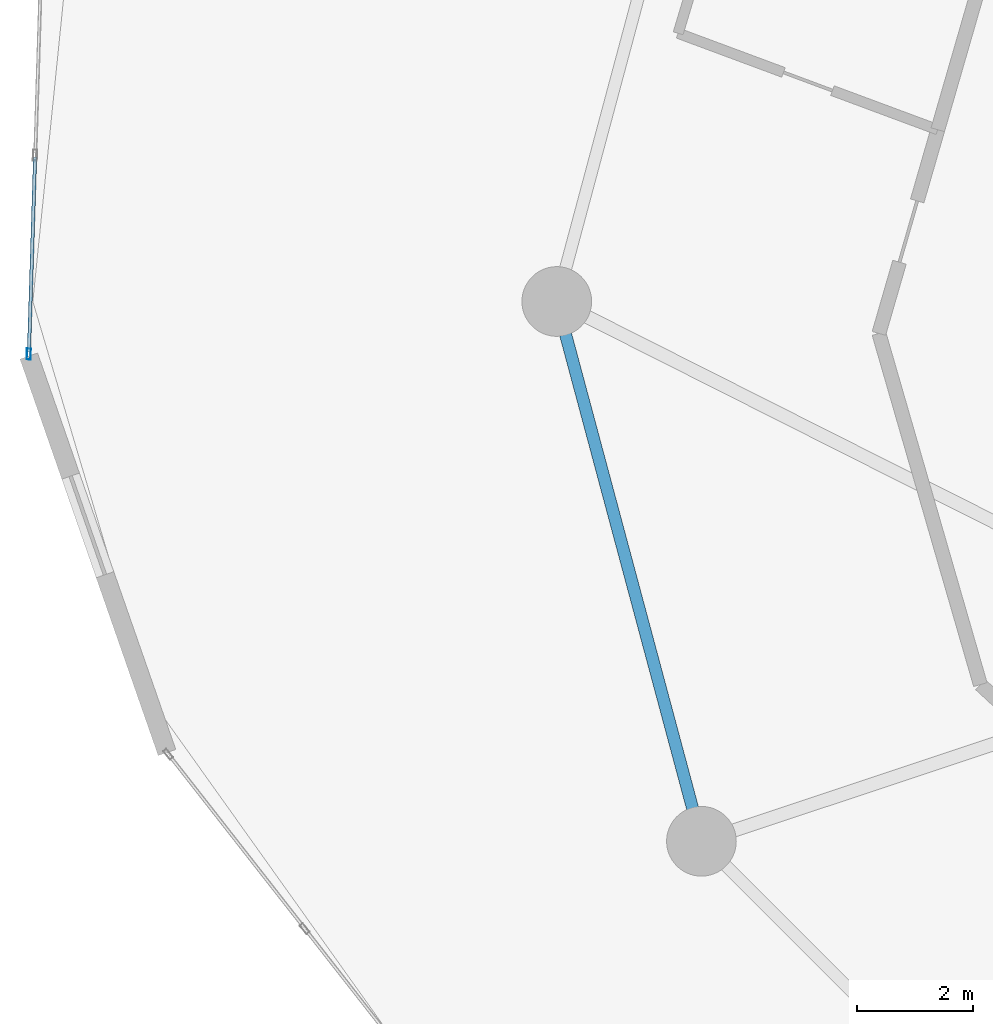
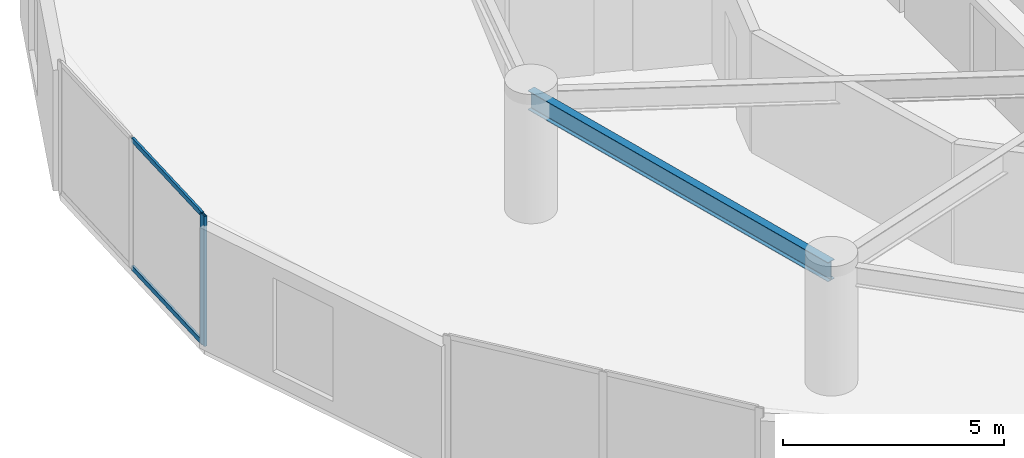
# One storey, part 6 of 22: 3 members, 1 beam, 1 element without a shape of its own.
"""IFC4 building model written with IfcOpenShell, lengths in metres."""

from ifc_helpers import new_model, si_unit, direction, frame, origin, origin_2d, place, context, subcontext, project, spatial, hollow_rectangle, i_section, extrude, source, transform, mapped, material, layer, layer_set, material_profile, profile_set, type_object, element, aggregate, save


model = new_model("IFC4")

# Units and contexts
model_context = context("Model", 3, precision=1e-05, world=origin(), true_north=direction((0.0, 1.0)))
body_context = subcontext(model_context, "Body", "Model", "MODEL_VIEW")
ifc_project = project(units=[si_unit("LENGTHUNIT", "METRE"), si_unit("AREAUNIT", "SQUARE_METRE"), si_unit("VOLUMEUNIT", "CUBIC_METRE"), si_unit("PLANEANGLEUNIT", "RADIAN"), si_unit("MASSUNIT", "GRAM", prefix="KILO")], contexts=[model_context])

# Site, building, storey
site_placement = place(None, origin())
site = spatial("IfcSite", under=ifc_project, at=site_placement, CompositionType="ELEMENT")
building_placement = place(site_placement, origin())
building = spatial("IfcBuilding", under=site, at=building_placement, Name="Solvirekh Grand Hotel", CompositionType="ELEMENT")
storey_placement = place(building_placement, frame((0.0, 0.0, 53.60009765625)))
storey = spatial("IfcBuildingStorey", under=building, at=storey_placement, Name="L12", CompositionType="ELEMENT", Elevation=53.60009765625)

# Beam
ifc_material_1 = material(Name="Steel S355", Category="steel")
ifc_material_profile_1 = material_profile(ifc_material_1, i_section(OverallWidth=0.208984375, OverallDepth=0.532958984375, WebThickness=0.010009765625, FlangeThickness=0.014892578125, FilletRadius=0.013916015625, at=origin_2d()), Name="W530X92")
ifc_profile_set_1 = profile_set([ifc_material_profile_1], Name="Steel S355")
beam_type = type_object("IfcBeamType", Name="Spandrel_Ring_W530", PredefinedType="SPANDREL", material=ifc_profile_set_1)
beam_placement = place(storey_placement, frame((-18.60009765625, 0.0, 3.072998046875), z_axis=(0.258842973314, -0.965919414426, 0.0), x_axis=(0.965919414426, 0.258842973314, 0.0)))
element("IfcBeam", 1, at=beam_placement, inside=storey, type_object=beam_type, Name="L12 perimeter spandrel beam 7", PredefinedType="SPANDREL", context=body_context, shape_type="SweptSolid", body=[
    extrude(i_section(OverallWidth=0.208984375, OverallDepth=0.532958984375, WebThickness=0.010009765625, FlangeThickness=0.014892578125, FilletRadius=0.013916015625, at=origin_2d()), origin(), (0.0, 0.0, 1.0), 9.628173828125),
])

# Curtain wall, members
ifc_material_2 = material(Name="Anodized Bronze Aluminium 6063-T6", Category="aluminium")
ifc_layer = layer(ifc_material_2, 0.18994140625)
ifc_layer_set = layer_set([ifc_layer], Name="Anodized Bronze Aluminium 6063-T6")
curtain_wall_type = type_object("IfcCurtainWallType", Name="CW_Sys2_LowZoneFlushBronzeCW", PredefinedType="NOTDEFINED", material=ifc_layer_set)
curtain_wall_placement = place(storey_placement, origin())
curtain_wall = element("IfcCurtainWall", 2, at=curtain_wall_placement, inside=storey, type_object=curtain_wall_type, Name="L12 unitised bronze-glass curtain wall CW-L12-C11", PredefinedType="NOTDEFINED")
ifc_material_profile_2 = material_profile(ifc_material_2, hollow_rectangle(XDim=0.070068359375, YDim=0.18994140625, WallThickness=0.0048828125, at=origin_2d()), Name="ALU RHS 190X70X5")
ifc_profile_set_2 = profile_set([ifc_material_profile_2], Name="Anodized Bronze Aluminium 6063-T6")
member_type_1 = type_object("IfcMemberType", Name="CWMullion_Sys2", PredefinedType="MULLION", material=ifc_profile_set_2)
shared_shape_1 = source(origin(), body_context, "Body", "SweptSolid", [
    extrude(hollow_rectangle(XDim=0.070068359375, YDim=0.18994140625, WallThickness=0.0048828125, at=origin_2d()), origin(), (0.0, 0.0, 1.0), 3.599853515625),
])
member_1_placement = place(storey_placement, frame((-27.69580078125, -0.905029296875, 0.0), z_axis=(0.0, 0.0, 1.0), x_axis=(0.999504439276, -0.03147818083, 0.0)))
member_1 = element("IfcMember", 3, at=member_1_placement, type_object=member_type_1, Name="U02 mullion 3", PredefinedType="MULLION", context=body_context, shape_type="MappedRepresentation", body=[
    mapped(shared_shape_1, transform((0.0, 0.0, 0.0), x_axis=(1.0, 0.0, 0.0), y_axis=(0.0, 1.0, 0.0), z_axis=(0.0, 0.0, 1.0), scale=1.0)),
])
ifc_material_profile_3 = material_profile(ifc_material_2, hollow_rectangle(XDim=0.06005859375, YDim=0.135009765625, WallThickness=0.00390625, at=origin_2d()), Name="ALU RHS 135X60X4")
ifc_profile_set_3 = profile_set([ifc_material_profile_3], Name="Anodized Bronze Aluminium 6063-T6")
member_type_2 = type_object("IfcMemberType", Name="CWTransom_Sys2", PredefinedType="USERDEFINED", material=ifc_profile_set_3)
shared_shape_2 = source(origin(), body_context, "Body", "SweptSolid", [
    extrude(hollow_rectangle(XDim=0.06005859375, YDim=0.135009765625, WallThickness=0.00390625, at=origin_2d()), origin(), (0.0, 0.0, 1.0), 3.35791015625),
])
member_2_placement = place(storey_placement, frame((-27.589111328125, 2.486083984375, 0.02978515625), z_axis=(-0.031482168315, -0.999504313687, 0.0), x_axis=(0.999504313687, -0.031482168315, 0.0)))
member_2 = element("IfcMember", 4, at=member_2_placement, type_object=member_type_2, Name="U02 transom 2.1", ObjectType="TRANSOM", PredefinedType="USERDEFINED", context=body_context, shape_type="MappedRepresentation", body=[
    mapped(shared_shape_2, transform((0.0, 0.0, 0.0), x_axis=(1.0, 0.0, 0.0), y_axis=(0.0, 1.0, 0.0), z_axis=(0.0, 0.0, 1.0), scale=1.0)),
])
member_3_placement = place(storey_placement, frame((-27.589111328125, 2.486083984375, 3.56982421875), z_axis=(-0.031482168315, -0.999504313687, 0.0), x_axis=(0.999504313687, -0.031482168315, 0.0)))
member_3 = element("IfcMember", 5, at=member_3_placement, type_object=member_type_2, Name="U02 transom 2.2", ObjectType="TRANSOM", PredefinedType="USERDEFINED", context=body_context, shape_type="MappedRepresentation", body=[
    mapped(shared_shape_2, transform((0.0, 0.0, 0.0), x_axis=(1.0, 0.0, 0.0), y_axis=(0.0, 1.0, 0.0), z_axis=(0.0, 0.0, 1.0), scale=1.0)),
])
aggregate(curtain_wall, [member_1, member_2, member_3])

save(model, "model.ifc")
